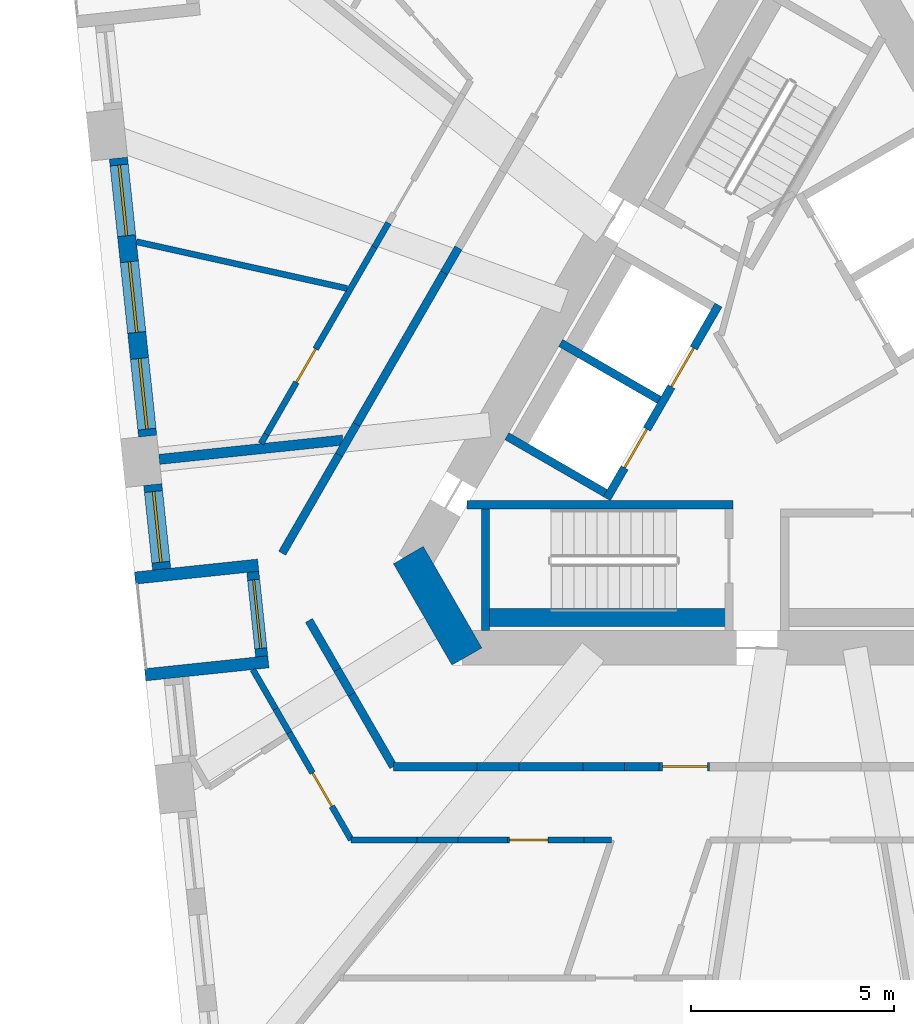
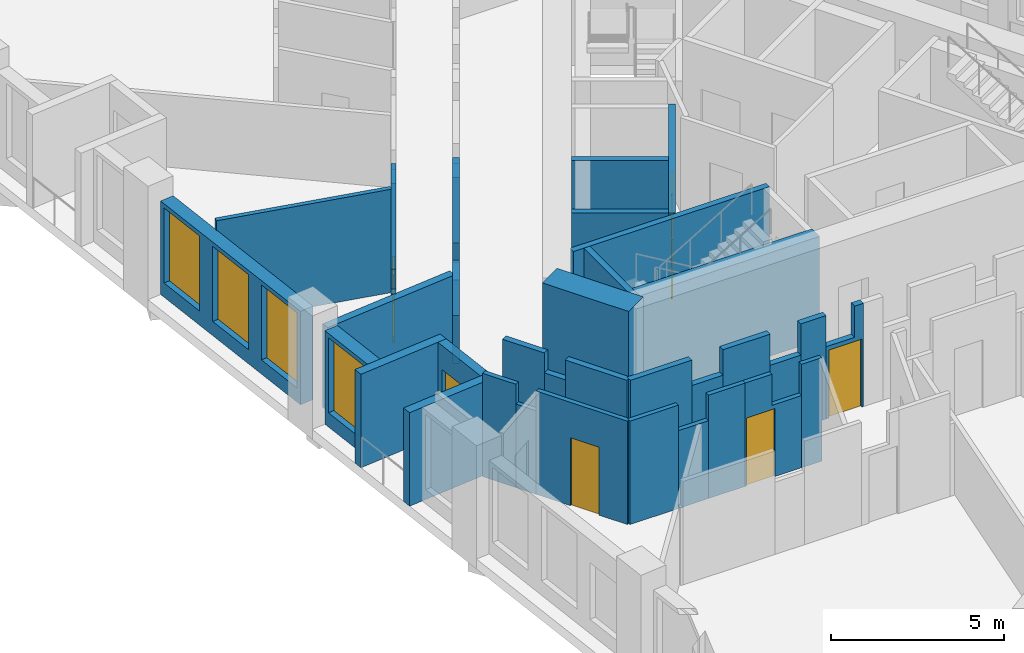
# One storey, part 3 of 14: 38 walls, 7 doors, 4 windows, 11 openings.
"""IFC4 building model written with IfcOpenShell, lengths in metres."""

from ifc_helpers import new_model, si_unit, direction, frame, frame_2d, origin, place, context, subcontext, project, spatial, polyline, rectangle, outline, extrude, material, layer, layer_set, type_object, element, fill, save


model = new_model("IFC4")

# Units and contexts
model_context = context("Model", 3, precision=1e-05, world=origin(), true_north=direction((0.0, 1.0)))
body_context = subcontext(model_context, "Body", "Model", "MODEL_VIEW")
ifc_project = project(units=[si_unit("LENGTHUNIT", "METRE"), si_unit("AREAUNIT", "SQUARE_METRE"), si_unit("VOLUMEUNIT", "CUBIC_METRE"), si_unit("PLANEANGLEUNIT", "RADIAN"), si_unit("MASSUNIT", "GRAM", prefix="KILO")], contexts=[model_context])

# Site, building, storey
site_placement = place(None, origin())
site = spatial("IfcSite", under=ifc_project, at=site_placement, CompositionType="ELEMENT")
building_placement = place(site_placement, origin())
building = spatial("IfcBuilding", under=site, at=building_placement, Name="Tramontana Tower", CompositionType="ELEMENT")
storey_placement = place(building_placement, frame((0.0, 0.0, 162.800048828125)))
storey = spatial("IfcBuildingStorey", under=building, at=storey_placement, Name="L37", CompositionType="ELEMENT", Elevation=162.800048828125)

# Wall
ifc_material_1 = material(Name="Concrete 70 MPa", Category="concrete")
ifc_layer_1 = layer(ifc_material_1, 0.85009765625)
ifc_layer_set_1 = layer_set([ifc_layer_1], Name="Core wall 850 70 MPa")
wall_type_1 = type_object("IfcWallType", Name="Core wall 850 70 MPa", PredefinedType="SHEAR", material=ifc_layer_set_1)
wall_1_placement = place(storey_placement, frame((-9.8798828125, -4.03759765625, 0.0), z_axis=(0.0, 0.0, 1.0), x_axis=(0.499995765644, -0.866027848477, 0.0)))
element("IfcWall", 1, at=wall_1_placement, inside=storey, type_object=wall_type_1, Name="Core wall C2 L37", PredefinedType="SHEAR", context=body_context, shape_type="SweptSolid", body=[
    extrude(rectangle(XDim=2.88671875, YDim=0.85009765625, at=frame_2d((1.443359375, 0.0))), origin(), (0.0, 0.0, 1.0), 4.0),
])

# Wall, opening, door
ifc_material_2 = material(Name="Blockwork", Category="masonry")
ifc_layer_2 = layer(ifc_material_2, 0.199951171875)
ifc_layer_set_2 = layer_set([ifc_layer_2], Name="ENTRY WALL 200")
wall_type_2 = type_object("IfcWallType", Name="ENTRY WALL 200", PredefinedType="SOLIDWALL", material=ifc_layer_set_2)
wall_2_placement = place(storey_placement, frame((-3.713134765625, -9.25, 0.0), z_axis=(0.0, 0.0, 1.0), x_axis=(1.0, 0.0, 0.0)))
wall_2 = element("IfcWall", 2, at=wall_2_placement, inside=storey, type_object=wall_type_2, Name="Wall v40-ew2-7", PredefinedType="SOLIDWALL", context=body_context, shape_type="SweptSolid", body=[
    extrude(outline(polyline([(0.0, 0.0), (1.2451171875, 0.0), (1.2451171875, 3.64990234375), (0.95361328125, 3.64990234375), (0.95361328125, 2.550048828125), (0.0, 2.550048828125), (0.0, 0.0)])), frame((0.0, 0.10009765625, 0.0), z_axis=(0.0, -1.0, 0.0), x_axis=(1.0, 0.0, 0.0)), (0.0, 0.0, 1.0), 0.199951171875),
])
opening_1_placement = place(wall_2_placement, frame((0.09521484375, 0.0, 0.0)))
opening_1 = element("IfcOpeningElement", 3, at=opening_1_placement, cuts=wall_2, Name="Opening B4A-23", PredefinedType="OPENING", context=body_context, shape_type="SweptSolid", body=[
    extrude(rectangle(XDim=1.10009765625, YDim=2.39990234375, at=frame_2d((0.550048828125, 1.199951171875))), frame((0.0, 0.10986328125, 0.0), z_axis=(0.0, -1.0, 0.0), x_axis=(1.0, 0.0, 0.0)), (0.0, 0.0, 1.0), 0.219970703125),
])
ifc_material_3 = material(Name="Painted timber", Category="wood")
door_type_1 = type_object("IfcDoorType", Name="DOOR ENTRY 1100", OperationType="SINGLE_SWING_LEFT", PredefinedType="DOOR", material=ifc_material_3)
door_1_placement = place(opening_1_placement, origin())
door_1 = element("IfcDoor", 4, at=door_1_placement, inside=storey, type_object=door_type_1, Name="Door B4A-23", OperationType="SINGLE_SWING_LEFT", OverallHeight=2.39990234375, OverallWidth=1.10009765625, PredefinedType="DOOR", context=body_context, shape_type="SweptSolid", body=[
    extrude(rectangle(XDim=1.10009765625, YDim=2.39990234375, at=frame_2d((0.550048828125, 1.199951171875))), frame((0.0, 0.02490234375, 0.0), z_axis=(0.0, -1.0, 0.0), x_axis=(1.0, 0.0, 0.0)), (0.0, 0.0, 1.0), 0.050048828125),
])
fill(opening_1, door_1)

# Walls
wall_3_placement = place(storey_placement, frame((-3.713134765625, -9.25, 0.0), z_axis=(0.0, 0.0, 1.0), x_axis=(-1.0, 0.0, 0.0)))
element("IfcWall", 5, at=wall_3_placement, inside=storey, type_object=wall_type_2, Name="Wall v40-ew2-8", PredefinedType="SOLIDWALL", context=body_context, shape_type="SweptSolid", body=[
    extrude(rectangle(XDim=0.84130859375, YDim=0.199951171875, at=frame_2d((0.420654296875, 0.0))), origin(), (0.0, 0.0, 1.0), 3.64990234375),
])
wall_4_placement = place(storey_placement, frame((-4.554443359375, -9.25, 0.0), z_axis=(0.0, 0.0, 1.0), x_axis=(-1.0, 0.0, 0.0)))
element("IfcWall", 6, at=wall_4_placement, inside=storey, type_object=wall_type_2, Name="Wall v40-ew2-9", PredefinedType="SOLIDWALL", context=body_context, shape_type="SweptSolid", body=[
    extrude(rectangle(XDim=1.026123046875, YDim=0.199951171875, at=frame_2d((0.51318359375, 0.0))), origin(), (0.0, 0.0, 1.0), 2.550048828125),
])
wall_5_placement = place(storey_placement, frame((-5.58056640625, -9.25, 0.0), z_axis=(0.0, 0.0, 1.0), x_axis=(-1.0, 0.0, 0.0)))
element("IfcWall", 7, at=wall_5_placement, inside=storey, type_object=wall_type_2, Name="Wall v40-ew2-10", PredefinedType="SOLIDWALL", context=body_context, shape_type="SweptSolid", body=[
    extrude(rectangle(XDim=1.57177734375, YDim=0.199951171875, at=frame_2d((0.785888671875, 0.0))), origin(), (0.0, 0.0, 1.0), 3.64990234375),
])
wall_6_placement = place(storey_placement, frame((-7.15234375, -9.25, 0.0), z_axis=(0.0, 0.0, 1.0), x_axis=(-1.0, 0.0, 0.0)))
element("IfcWall", 8, at=wall_6_placement, inside=storey, type_object=wall_type_2, Name="Wall v40-ew2-11", PredefinedType="SOLIDWALL", context=body_context, shape_type="SweptSolid", body=[
    extrude(rectangle(XDim=1.039306640625, YDim=0.199951171875, at=frame_2d((0.51953125, 0.0))), origin(), (0.0, 0.0, 1.0), 2.75),
])
wall_7_placement = place(storey_placement, frame((-8.191650390625, -9.25, 0.0), z_axis=(0.0, 0.0, 1.0), x_axis=(-1.0, 0.0, 0.0)))
element("IfcWall", 9, at=wall_7_placement, inside=storey, type_object=wall_type_2, Name="Wall v40-ew2-12", PredefinedType="SOLIDWALL", context=body_context, shape_type="SweptSolid", body=[
    extrude(rectangle(XDim=2.056396484375, YDim=0.199951171875, at=frame_2d((1.0283203125, 0.0))), origin(), (0.0, 0.0, 1.0), 3.64990234375),
])
wall_8_placement = place(storey_placement, frame((-10.248046875, -9.25, 0.0), z_axis=(0.0, 0.0, 1.0), x_axis=(-0.499941542975, 0.866059151333, 0.0)))
element("IfcWall", 10, at=wall_8_placement, inside=storey, type_object=wall_type_2, Name="Wall v40-ew3-0", PredefinedType="SOLIDWALL", context=body_context, shape_type="SweptSolid", body=[
    extrude(rectangle(XDim=2.057861328125, YDim=0.199951171875, at=frame_2d((1.02880859375, 0.0))), origin(), (0.0, 0.0, 1.0), 3.64990234375),
])
wall_9_placement = place(storey_placement, frame((-11.27685546875, -7.4677734375, 0.0), z_axis=(0.0, 0.0, 1.0), x_axis=(-0.50022532796, 0.865895271535, 0.0)))
element("IfcWall", 11, at=wall_9_placement, inside=storey, type_object=wall_type_2, Name="Wall v40-ew3-1", PredefinedType="SOLIDWALL", context=body_context, shape_type="SweptSolid", body=[
    extrude(rectangle(XDim=0.700439453125, YDim=0.199951171875, at=frame_2d((0.35009765625, 0.0))), origin(), (0.0, 0.0, 1.0), 2.949951171875),
])
wall_10_placement = place(storey_placement, frame((-11.627197265625, -6.861328125, 0.0), z_axis=(0.0, 0.0, 1.0), x_axis=(-0.49998411664, 0.866034573852, 0.0)))
element("IfcWall", 12, at=wall_10_placement, inside=storey, type_object=wall_type_2, Name="Wall v40-ew3-2", PredefinedType="SOLIDWALL", context=body_context, shape_type="SweptSolid", body=[
    extrude(rectangle(XDim=1.39990234375, YDim=0.199951171875, at=frame_2d((0.699951171875, 0.0))), origin(), (0.0, 0.0, 1.0), 3.64990234375),
])
wall_11_placement = place(storey_placement, frame((-12.986572265625, -3.993408203125, 0.0), z_axis=(0.0, 0.0, 1.0), x_axis=(0.499976698542, 0.86603885647, 0.0)))
element("IfcWall", 13, at=wall_11_placement, inside=storey, type_object=wall_type_2, Name="Wall v40-ew4-0", PredefinedType="SOLIDWALL", context=body_context, shape_type="SweptSolid", body=[
    extrude(rectangle(XDim=2.798583984375, YDim=0.199951171875, at=frame_2d((1.3994140625, 0.0))), origin(), (0.0, 0.0, 1.0), 3.64990234375),
])
wall_12_placement = place(storey_placement, frame((-11.58740234375, -1.56982421875, 0.0), z_axis=(0.0, 0.0, 1.0), x_axis=(0.500023708017, 0.866011715522, 0.0)))
element("IfcWall", 14, at=wall_12_placement, inside=storey, type_object=wall_type_2, Name="Wall v40-ew4-1", PredefinedType="SOLIDWALL", context=body_context, shape_type="SweptSolid", body=[
    extrude(rectangle(XDim=0.865234375, YDim=0.199951171875, at=frame_2d((0.4326171875, 0.0))), origin(), (0.0, 0.0, 1.0), 2.949951171875),
])
wall_13_placement = place(storey_placement, frame((-11.15478515625, -0.820556640625, 0.0), z_axis=(0.0, 0.0, 1.0), x_axis=(0.499992344383, 0.866029823712, 0.0)))
element("IfcWall", 15, at=wall_13_placement, inside=storey, type_object=wall_type_2, Name="Wall v40-ew4-2", PredefinedType="SOLIDWALL", context=body_context, shape_type="SweptSolid", body=[
    extrude(rectangle(XDim=4.306640625, YDim=0.199951171875, at=frame_2d((2.1533203125, 0.0))), origin(), (0.0, 0.0, 1.0), 3.64990234375),
])
wall_14_placement = place(storey_placement, frame((-9.00146484375, 2.9091796875, 0.0), z_axis=(0.0, 0.0, 1.0), x_axis=(0.50012879774, 0.865951029603, 0.0)))
element("IfcWall", 16, at=wall_14_placement, inside=storey, type_object=wall_type_2, Name="Wall v40-ew4-3", PredefinedType="SOLIDWALL", context=body_context, shape_type="SweptSolid", body=[
    extrude(rectangle(XDim=0.710693359375, YDim=0.199951171875, at=frame_2d((0.35546875, 0.0))), origin(), (0.0, 0.0, 1.0), 2.949951171875),
])

# Wall, openings, windows
ifc_material_4 = material(Name="Precast concrete 60 MPa", Category="concrete")
ifc_layer_3 = layer(ifc_material_4, 0.449951171875)
ifc_layer_set_3 = layer_set([ifc_layer_3], Name="Precast concrete 60 MPa, 450 mm")
wall_type_3 = type_object("IfcWallType", Name="EW1 Stone-faced precast wall 450", PredefinedType="SOLIDWALL", material=ifc_layer_set_3)
wall_15_placement = place(storey_placement, frame((-17.017822265625, 5.735595703125, 0.0), z_axis=(0.0, 0.0, 1.0), x_axis=(0.104531531326, -0.994521572898, 0.0)))
wall_15 = element("IfcWall", 17, at=wall_15_placement, inside=storey, type_object=wall_type_3, Name="External wall L37 face 0 bay 3", PredefinedType="SOLIDWALL", context=body_context, shape_type="SweptSolid", body=[
    extrude(rectangle(XDim=6.8828125, YDim=0.449951171875, at=frame_2d((3.44140625, 0.0))), origin(), (0.0, 0.0, 1.0), 3.300048828125),
])
opening_2_placement = place(wall_15_placement, frame((0.172119140625, 0.0, 0.5)))
opening_2 = element("IfcOpeningElement", 18, at=opening_2_placement, cuts=wall_15, Name="Opening M2", PredefinedType="OPENING", context=body_context, shape_type="SweptSolid", body=[
    extrude(rectangle(XDim=1.75, YDim=2.64990234375, at=frame_2d((0.875, 1.324951171875))), frame((0.0, 0.23486328125, 0.0), z_axis=(0.0, -1.0, 0.0), x_axis=(1.0, 0.0, 0.0)), (0.0, 0.0, 1.0), 0.469970703125),
])
opening_3_placement = place(wall_15_placement, frame((2.56640625, 0.0, 0.5)))
opening_3 = element("IfcOpeningElement", 19, at=opening_3_placement, cuts=wall_15, Name="Opening M2", PredefinedType="OPENING", context=body_context, shape_type="SweptSolid", body=[
    extrude(rectangle(XDim=1.75, YDim=2.64990234375, at=frame_2d((0.875, 1.324951171875))), frame((0.0, 0.23486328125, 0.0), z_axis=(0.0, -1.0, 0.0), x_axis=(1.0, 0.0, 0.0)), (0.0, 0.0, 1.0), 0.469970703125),
])
opening_4_placement = place(wall_15_placement, frame((4.960693359375, 0.0, 0.5)))
opening_4 = element("IfcOpeningElement", 20, at=opening_4_placement, cuts=wall_15, Name="Opening M2", PredefinedType="OPENING", context=body_context, shape_type="SweptSolid", body=[
    extrude(rectangle(XDim=1.75, YDim=2.64990234375, at=frame_2d((0.875, 1.324951171875))), frame((0.0, 0.23486328125, 0.0), z_axis=(0.0, -1.0, 0.0), x_axis=(1.0, 0.0, 0.0)), (0.0, 0.0, 1.0), 0.469970703125),
])
ifc_material_5 = material(Name="Aluminum frame, double glazing unit", Category="aluminium")
window_type = type_object("IfcWindowType", Name="M2 Window 1.75 x 2.65", PartitioningType="SINGLE_PANEL", PredefinedType="WINDOW", material=ifc_material_5)
window_1_placement = place(opening_2_placement, origin())
window_1 = element("IfcWindow", 21, at=window_1_placement, inside=storey, type_object=window_type, Name="Window M2 L37 face 0 module 7", OverallHeight=2.64990234375, OverallWidth=1.75, PartitioningType="SINGLE_PANEL", PredefinedType="WINDOW", context=body_context, shape_type="SweptSolid", body=[
    extrude(rectangle(XDim=1.75, YDim=2.64990234375, at=frame_2d((0.875, 1.324951171875))), frame((0.0, 0.030029296875, 0.0), z_axis=(0.0, -1.0, 0.0), x_axis=(1.0, 0.0, 0.0)), (0.0, 0.0, 1.0), 0.06005859375),
])
fill(opening_2, window_1)
window_2_placement = place(opening_3_placement, origin())
window_2 = element("IfcWindow", 22, at=window_2_placement, inside=storey, type_object=window_type, Name="Window M2 L37 face 0 module 8", OverallHeight=2.64990234375, OverallWidth=1.75, PartitioningType="SINGLE_PANEL", PredefinedType="WINDOW", context=body_context, shape_type="SweptSolid", body=[
    extrude(rectangle(XDim=1.75, YDim=2.64990234375, at=frame_2d((0.875, 1.324951171875))), frame((0.0, 0.030029296875, 0.0), z_axis=(0.0, -1.0, 0.0), x_axis=(1.0, 0.0, 0.0)), (0.0, 0.0, 1.0), 0.06005859375),
])
fill(opening_3, window_2)
window_3_placement = place(opening_4_placement, origin())
window_3 = element("IfcWindow", 23, at=window_3_placement, inside=storey, type_object=window_type, Name="Window M2 L37 face 0 module 9", OverallHeight=2.64990234375, OverallWidth=1.75, PartitioningType="SINGLE_PANEL", PredefinedType="WINDOW", context=body_context, shape_type="SweptSolid", body=[
    extrude(rectangle(XDim=1.75, YDim=2.64990234375, at=frame_2d((0.875, 1.324951171875))), frame((0.0, 0.030029296875, 0.0), z_axis=(0.0, -1.0, 0.0), x_axis=(1.0, 0.0, 0.0)), (0.0, 0.0, 1.0), 0.06005859375),
])
fill(opening_4, window_3)

# Wall, opening, window
wall_16_placement = place(storey_placement, frame((-16.1728515625, -2.30322265625, 0.0), z_axis=(0.0, 0.0, 1.0), x_axis=(0.104569484464, -0.994517583011, 0.0)))
wall_16 = element("IfcWall", 24, at=wall_16_placement, inside=storey, type_object=wall_type_3, Name="External wall L37 face 0 bay 4", PredefinedType="SOLIDWALL", context=body_context, shape_type="SweptSolid", body=[
    extrude(rectangle(XDim=2.09423828125, YDim=0.449951171875, at=frame_2d((1.047119140625, 0.0))), origin(), (0.0, 0.0, 1.0), 3.300048828125),
])
opening_5_placement = place(wall_16_placement, frame((0.172119140625, 0.0, 0.5)))
opening_5 = element("IfcOpeningElement", 25, at=opening_5_placement, cuts=wall_16, Name="Opening M2", PredefinedType="OPENING", context=body_context, shape_type="SweptSolid", body=[
    extrude(rectangle(XDim=1.75, YDim=2.64990234375, at=frame_2d((0.875, 1.324951171875))), frame((0.0, 0.23486328125, 0.0), z_axis=(0.0, -1.0, 0.0), x_axis=(1.0, 0.0, 0.0)), (0.0, 0.0, 1.0), 0.469970703125),
])
window_4_placement = place(opening_5_placement, origin())
window_4 = element("IfcWindow", 26, at=window_4_placement, inside=storey, type_object=window_type, Name="Window M2 L37 face 0 module 10", OverallHeight=2.64990234375, OverallWidth=1.75, PartitioningType="SINGLE_PANEL", PredefinedType="WINDOW", context=body_context, shape_type="SweptSolid", body=[
    extrude(rectangle(XDim=1.75, YDim=2.64990234375, at=frame_2d((0.875, 1.324951171875))), frame((0.0, 0.030029296875, 0.0), z_axis=(0.0, -1.0, 0.0), x_axis=(1.0, 0.0, 0.0)), (0.0, 0.0, 1.0), 0.06005859375),
])
fill(opening_5, window_4)

# Wall, opening, door
ifc_material_6 = material(Name="Precast concrete 60 MPa", Category="concrete")
ifc_layer_4 = layer(ifc_material_6, 0.300048828125)
ifc_layer_set_4 = layer_set([ifc_layer_4], Name="LW1 Stone-faced loggia wall 300")
wall_type_4 = type_object("IfcWallType", Name="LW1 Stone-faced loggia wall 300", PredefinedType="SOLIDWALL", material=ifc_layer_set_4)
wall_17_placement = place(storey_placement, frame((-13.709716796875, -4.45166015625, 0.0), z_axis=(0.0, 0.0, 1.0), x_axis=(0.104442071108, -0.994530971756, 0.0)))
wall_17 = element("IfcWall", 27, at=wall_17_placement, inside=storey, type_object=wall_type_4, Name="Loggia wall L37 G4S0.10", PredefinedType="SOLIDWALL", context=body_context, shape_type="SweptSolid", body=[
    extrude(rectangle(XDim=2.094482421875, YDim=0.300048828125, at=frame_2d((1.04736328125, 0.0))), origin(), (0.0, 0.0, 1.0), 3.300048828125),
])
opening_6_placement = place(wall_17_placement, frame((0.197265625, 0.0, 0.0)))
opening_6 = element("IfcOpeningElement", 28, at=opening_6_placement, cuts=wall_17, Name="Opening BD-4S0-10", PredefinedType="OPENING", context=body_context, shape_type="SweptSolid", body=[
    extrude(rectangle(XDim=1.699951171875, YDim=2.449951171875, at=frame_2d((0.85009765625, 1.22509765625))), frame((0.0, 0.159912109375, 0.0), z_axis=(0.0, -1.0, 0.0), x_axis=(1.0, 0.0, 0.0)), (0.0, 0.0, 1.0), 0.320068359375),
])
ifc_material_7 = material(Name="Aluminum frame, double glazing unit", Category="aluminium")
door_type_2 = type_object("IfcDoorType", Name="BD2 Sliding door 1.7 x 2.45", OperationType="SLIDING_TO_LEFT", PredefinedType="DOOR", material=ifc_material_7)
door_2_placement = place(opening_6_placement, origin())
door_2 = element("IfcDoor", 29, at=door_2_placement, inside=storey, type_object=door_type_2, Name="Loggia door L37 G4S0.10", OperationType="SLIDING_TO_LEFT", OverallHeight=2.449951171875, OverallWidth=1.699951171875, PredefinedType="DOOR", context=body_context, shape_type="SweptSolid", body=[
    extrude(rectangle(XDim=1.699951171875, YDim=2.449951171875, at=frame_2d((0.85009765625, 1.22509765625))), frame((0.0, 0.02490234375, 0.0), z_axis=(0.0, -1.0, 0.0), x_axis=(1.0, 0.0, 0.0)), (0.0, 0.0, 1.0), 0.050048828125),
])
fill(opening_6, door_2)

# Walls
for number, where, z_axis, x_axis, name in (
    (30, (-16.609619140625, -4.605712890625, 0.0), (0.0, 0.0, 1.0), (0.994521230707, 0.104534786906, 0.0), "Loggia return L37 G4S0.10a"),
    (31, (-16.359375, -6.98681640625, 0.0), (0.0, 0.0, 1.0), (0.994521230707, 0.104534786906, 0.0), "Loggia return L37 G4S0.10b"),
):
    element("IfcWall", number, at=place(storey_placement, frame(where, z_axis=z_axis, x_axis=x_axis)), inside=storey, type_object=wall_type_4, Name=name, PredefinedType="SOLIDWALL", context=body_context, shape_type="SweptSolid", body=[
        extrude(rectangle(XDim=3.050048828125, YDim=0.300048828125, at=frame_2d((1.52490234375, 0.0))), origin(), (0.0, 0.0, 1.0), 3.300048828125),
    ])
ifc_material_8 = material(Name="Gypsum board partition")
ifc_layer_5 = layer(ifc_material_8, 0.14990234375)
ifc_layer_set_5 = layer_set([ifc_layer_5], Name="PARTITION 150")
wall_type_5 = type_object("IfcWallType", Name="PARTITION 150", PredefinedType="PARTITIONING", material=ifc_layer_set_5)
wall_18_placement = place(storey_placement, frame((-13.50634765625, -1.2939453125, 0.0), z_axis=(0.0, 0.0, 1.0), x_axis=(0.499239477509, 0.866464046627, 0.0)))
element("IfcWall", 32, at=wall_18_placement, inside=storey, type_object=wall_type_5, Name="Wall v40-pw03-0", PredefinedType="PARTITIONING", context=body_context, shape_type="SweptSolid", body=[
    extrude(rectangle(XDim=0.2626953125, YDim=0.14990234375, at=frame_2d((0.13134765625, 0.0))), origin(), (0.0, 0.0, 1.0), 2.949951171875),
])

# Wall, opening, door
wall_19_placement = place(storey_placement, frame((-13.375244140625, -1.06640625, 0.0), z_axis=(0.0, 0.0, 1.0), x_axis=(0.500004172341, 0.866022994869, 0.0)))
wall_19 = element("IfcWall", 33, at=wall_19_placement, inside=storey, type_object=wall_type_5, Name="Wall v40-pw03-1", PredefinedType="PARTITIONING", context=body_context, shape_type="SweptSolid", body=[
    extrude(rectangle(XDim=5.326171875, YDim=0.14990234375, at=frame_2d((2.6630859375, 0.0))), origin(), (0.0, 0.0, 1.0), 3.64990234375),
])
opening_7_placement = place(wall_19_placement, frame((1.479248046875, 0.0, 0.0)))
opening_7 = element("IfcOpeningElement", 34, at=opening_7_placement, cuts=wall_19, Name="Opening B4A-06", PredefinedType="OPENING", context=body_context, shape_type="SweptSolid", body=[
    extrude(rectangle(XDim=0.949951171875, YDim=2.39990234375, at=frame_2d((0.47509765625, 1.199951171875))), frame((0.0, 0.0849609375, 0.0), z_axis=(0.0, -1.0, 0.0), x_axis=(1.0, 0.0, 0.0)), (0.0, 0.0, 1.0), 0.169921875),
])
ifc_material_9 = material(Name="Painted timber", Category="wood")
door_type_3 = type_object("IfcDoorType", Name="DOOR ROOM 950", OperationType="SINGLE_SWING_LEFT", PredefinedType="DOOR", material=ifc_material_9)
door_3_placement = place(opening_7_placement, origin())
door_3 = element("IfcDoor", 35, at=door_3_placement, inside=storey, type_object=door_type_3, Name="Door B4A-06", OperationType="SINGLE_SWING_RIGHT", OverallHeight=2.39990234375, OverallWidth=0.949951171875, PredefinedType="DOOR", context=body_context, shape_type="SweptSolid", body=[
    extrude(rectangle(XDim=0.949951171875, YDim=2.39990234375, at=frame_2d((0.47509765625, 1.199951171875))), frame((0.0, 0.02490234375, 0.0), z_axis=(0.0, -1.0, 0.0), x_axis=(1.0, 0.0, 0.0)), (0.0, 0.0, 1.0), 0.050048828125),
])
fill(opening_7, door_3)

# Walls
wall_20_placement = place(storey_placement, frame((-10.712158203125, 3.546142578125, 0.0), z_axis=(0.0, 0.0, 1.0), x_axis=(0.50012328804, 0.865954211699, 0.0)))
element("IfcWall", 36, at=wall_20_placement, inside=storey, type_object=wall_type_5, Name="Wall v40-pw03-2", PredefinedType="PARTITIONING", context=body_context, shape_type="SweptSolid", body=[
    extrude(rectangle(XDim=0.685302734375, YDim=0.14990234375, at=frame_2d((0.3427734375, 0.0))), origin(), (0.0, 0.0, 1.0), 2.949951171875),
])
wall_21_placement = place(storey_placement, frame((-11.387939453125, 2.525634765625, 0.0), z_axis=(0.0, 0.0, 1.0), x_axis=(-0.976268081413, 0.216565540229, 0.0)))
element("IfcWall", 37, at=wall_21_placement, inside=storey, type_object=wall_type_5, Name="Wall v40-pw07", PredefinedType="PARTITIONING", context=body_context, shape_type="SweptSolid", body=[
    extrude(rectangle(XDim=5.31298828125, YDim=0.14990234375, at=frame_2d((2.656494140625, 0.0))), origin(), (0.0, 0.0, 1.0), 3.64990234375),
])

# Wall, opening, door
wall_22_placement = place(storey_placement, frame((-11.287353515625, -11.050048828125, 0.0), z_axis=(0.0, 0.0, 1.0), x_axis=(-0.499958377808, 0.866049433035, 0.0)))
wall_22 = element("IfcWall", 38, at=wall_22_placement, inside=storey, type_object=wall_type_5, Name="Wall v40-pw08-0", PredefinedType="PARTITIONING", context=body_context, shape_type="SweptSolid", body=[
    extrude(rectangle(XDim=3.045654296875, YDim=0.14990234375, at=frame_2d((1.52294921875, 0.0))), origin(), (0.0, 0.0, 1.0), 3.64990234375),
])
opening_8_placement = place(wall_22_placement, frame((0.9501953125, 0.0, 0.0)))
opening_8 = element("IfcOpeningElement", 39, at=opening_8_placement, cuts=wall_22, Name="Opening B4A-11", PredefinedType="OPENING", context=body_context, shape_type="SweptSolid", body=[
    extrude(rectangle(XDim=0.949951171875, YDim=2.39990234375, at=frame_2d((0.47509765625, 1.199951171875))), frame((0.0, 0.0849609375, 0.0), z_axis=(0.0, -1.0, 0.0), x_axis=(1.0, 0.0, 0.0)), (0.0, 0.0, 1.0), 0.169921875),
])
door_4_placement = place(opening_8_placement, origin())
door_4 = element("IfcDoor", 40, at=door_4_placement, inside=storey, type_object=door_type_3, Name="Door B4A-11", OperationType="SINGLE_SWING_LEFT", OverallHeight=2.39990234375, OverallWidth=0.949951171875, PredefinedType="DOOR", context=body_context, shape_type="SweptSolid", body=[
    extrude(rectangle(XDim=0.949951171875, YDim=2.39990234375, at=frame_2d((0.47509765625, 1.199951171875))), frame((0.0, 0.02490234375, 0.0), z_axis=(0.0, -1.0, 0.0), x_axis=(1.0, 0.0, 0.0)), (0.0, 0.0, 1.0), 0.050048828125),
])
fill(opening_8, door_4)

# Walls
wall_23_placement = place(storey_placement, frame((-12.81005859375, -8.412353515625, 0.0), z_axis=(0.0, 0.0, 1.0), x_axis=(-0.499910196476, 0.866077245666, 0.0)))
element("IfcWall", 41, at=wall_23_placement, inside=storey, type_object=wall_type_5, Name="Wall v40-pw08-1", PredefinedType="PARTITIONING", context=body_context, shape_type="SweptSolid", body=[
    extrude(rectangle(XDim=0.67529296875, YDim=0.14990234375, at=frame_2d((0.337646484375, 0.0))), origin(), (0.0, 0.0, 1.0), 2.949951171875),
])
wall_24_placement = place(storey_placement, frame((-13.147705078125, -7.827392578125, 0.0), z_axis=(0.0, 0.0, 1.0), x_axis=(-0.499942933724, 0.866058348508, 0.0)))
element("IfcWall", 42, at=wall_24_placement, inside=storey, type_object=wall_type_5, Name="Wall v40-pw08-2", PredefinedType="PARTITIONING", context=body_context, shape_type="SweptSolid", body=[
    extrude(rectangle(XDim=1.118408203125, YDim=0.14990234375, at=frame_2d((0.55908203125, 0.0))), origin(), (0.0, 0.0, 1.0), 3.64990234375),
])
wall_25_placement = place(storey_placement, frame((-4.880859375, -11.050048828125, 0.0), z_axis=(0.0, 0.0, 1.0), x_axis=(-1.0, 0.0, 0.0)))
element("IfcWall", 43, at=wall_25_placement, inside=storey, type_object=wall_type_5, Name="Wall v40-pw15-0", PredefinedType="PARTITIONING", context=body_context, shape_type="SweptSolid", body=[
    extrude(rectangle(XDim=0.673828125, YDim=0.14990234375, at=frame_2d((0.3369140625, 0.0))), origin(), (0.0, 0.0, 1.0), 3.64990234375),
])

# Wall, opening, door
wall_26_placement = place(storey_placement, frame((-5.5546875, -11.050048828125, 0.0), z_axis=(0.0, 0.0, 1.0), x_axis=(-1.0, 0.0, 0.0)))
wall_26 = element("IfcWall", 44, at=wall_26_placement, inside=storey, type_object=wall_type_5, Name="Wall v40-pw15-1", PredefinedType="PARTITIONING", context=body_context, shape_type="SweptSolid", body=[
    extrude(outline(polyline([(0.0, 0.0), (1.88818359375, 0.0), (1.887939453125, 3.64990234375), (0.997802734375, 3.64990234375), (0.997802734375, 2.550048828125), (0.0, 2.550048828125), (0.0, 0.0)])), frame((0.0, 0.074951171875, 0.0), z_axis=(0.0, -1.0, 0.0), x_axis=(1.0, 0.0, 0.0)), (0.0, 0.0, 1.0), 0.14990234375),
])
opening_9_placement = place(wall_26_placement, frame((0.887939453125, 0.0, 0.0)))
opening_9 = element("IfcOpeningElement", 45, at=opening_9_placement, cuts=wall_26, Name="Opening B4A-08", PredefinedType="OPENING", context=body_context, shape_type="SweptSolid", body=[
    extrude(rectangle(XDim=0.949951171875, YDim=2.39990234375, at=frame_2d((0.47509765625, 1.199951171875))), frame((0.0, 0.0849609375, 0.0), z_axis=(0.0, -1.0, 0.0), x_axis=(1.0, 0.0, 0.0)), (0.0, 0.0, 1.0), 0.169921875),
])
door_5_placement = place(opening_9_placement, origin())
door_5 = element("IfcDoor", 46, at=door_5_placement, inside=storey, type_object=door_type_3, Name="Door B4A-08", OperationType="SINGLE_SWING_RIGHT", OverallHeight=2.39990234375, OverallWidth=0.949951171875, PredefinedType="DOOR", context=body_context, shape_type="SweptSolid", body=[
    extrude(rectangle(XDim=0.949951171875, YDim=2.39990234375, at=frame_2d((0.47509765625, 1.199951171875))), frame((0.0, 0.02490234375, 0.0), z_axis=(0.0, -1.0, 0.0), x_axis=(1.0, 0.0, 0.0)), (0.0, 0.0, 1.0), 0.050048828125),
])
fill(opening_9, door_5)

# Walls
wall_27_placement = place(storey_placement, frame((-7.44287109375, -11.050048828125, 0.0), z_axis=(0.0, 0.0, 1.0), x_axis=(-1.0, 0.0, 0.0)))
element("IfcWall", 47, at=wall_27_placement, inside=storey, type_object=wall_type_5, Name="Wall v40-pw15-2", PredefinedType="PARTITIONING", context=body_context, shape_type="SweptSolid", body=[
    extrude(rectangle(XDim=1.21875, YDim=0.14990234375, at=frame_2d((0.609375, 0.0))), origin(), (0.0, 0.0, 1.0), 3.64990234375),
])
wall_28_placement = place(storey_placement, frame((-8.66162109375, -11.050048828125, 0.0), z_axis=(0.0, 0.0, 1.0), x_axis=(-1.0, 0.0, 0.0)))
element("IfcWall", 48, at=wall_28_placement, inside=storey, type_object=wall_type_5, Name="Wall v40-pw15-3", PredefinedType="PARTITIONING", context=body_context, shape_type="SweptSolid", body=[
    extrude(rectangle(XDim=1.0068359375, YDim=0.14990234375, at=frame_2d((0.50341796875, 0.0))), origin(), (0.0, 0.0, 1.0), 2.75),
])
wall_29_placement = place(storey_placement, frame((-9.66845703125, -11.050048828125, 0.0), z_axis=(0.0, 0.0, 1.0), x_axis=(-1.0, 0.0, 0.0)))
element("IfcWall", 49, at=wall_29_placement, inside=storey, type_object=wall_type_5, Name="Wall v40-pw15-4", PredefinedType="PARTITIONING", context=body_context, shape_type="SweptSolid", body=[
    extrude(rectangle(XDim=1.61865234375, YDim=0.14990234375, at=frame_2d((0.809326171875, 0.0))), origin(), (0.0, 0.0, 1.0), 3.64990234375),
])
ifc_material_10 = material(Name="Blockwork", Category="masonry")
ifc_layer_6 = layer(ifc_material_10, 0.25)
ifc_layer_set_6 = layer_set([ifc_layer_6], Name="PARTY WALL 250")
wall_type_6 = type_object("IfcWallType", Name="PARTY WALL 250", PredefinedType="SOLIDWALL", material=ifc_layer_set_6)
wall_30_placement = place(storey_placement, frame((-11.493896484375, -1.2080078125, 0.0), z_axis=(0.0, 0.0, 1.0), x_axis=(-0.99452163766, -0.104530915171, 0.0)))
element("IfcWall", 50, at=wall_30_placement, inside=storey, type_object=wall_type_6, Name="Wall v40-pw05-0", PredefinedType="SOLIDWALL", context=body_context, shape_type="SweptSolid", body=[
    extrude(rectangle(XDim=4.542724609375, YDim=0.25, at=frame_2d((2.271484375, 0.0))), origin(), (0.0, 0.0, 1.0), 2.949951171875),
])
ifc_material_11 = material(Name="Concrete 70 MPa", Category="concrete")
ifc_layer_7 = layer(ifc_material_11, 0.449951171875)
ifc_layer_set_7 = layer_set([ifc_layer_7], Name="Concrete 70 MPa, 450 mm")
wall_type_7 = type_object("IfcWallType", Name="RC SHAFT BACK WALL 450", PredefinedType="SOLIDWALL", material=ifc_layer_set_7)
wall_31_placement = place(storey_placement, frame((-8.080078125, -5.574951171875, 0.0), z_axis=(0.0, 0.0, 1.0), x_axis=(1.0, 0.0, 0.0)))
element("IfcWall", 51, at=wall_31_placement, inside=storey, type_object=wall_type_7, Name="Wall st2-back", PredefinedType="SOLIDWALL", context=body_context, shape_type="SweptSolid", body=[
    extrude(rectangle(XDim=6.2001953125, YDim=0.449951171875, at=frame_2d((3.10009765625, 0.0))), origin(), (0.0, 0.0, 1.0), 3.64990234375),
])
ifc_material_12 = material(Name="Concrete 70 MPa", Category="concrete")
ifc_layer_8 = layer(ifc_material_12, 0.199951171875)
ifc_layer_set_8 = layer_set([ifc_layer_8], Name="Concrete 70 MPa, 200 mm")
wall_type_8 = type_object("IfcWallType", Name="RC STAIR AND SHAFT WALL 200", PredefinedType="SOLIDWALL", material=ifc_layer_set_8)
wall_32_placement = place(storey_placement, frame((-8.42919921875, -2.800048828125, 0.0), z_axis=(0.0, 0.0, 1.0), x_axis=(1.0, 0.0, 0.0)))
element("IfcWall", 52, at=wall_32_placement, inside=storey, type_object=wall_type_8, Name="Wall st2-front", PredefinedType="SOLIDWALL", context=body_context, shape_type="SweptSolid", body=[
    extrude(rectangle(XDim=6.54931640625, YDim=0.199951171875, at=frame_2d((3.274658203125, 0.0))), origin(), (0.0, 0.0, 1.0), 3.64990234375),
])
wall_33_placement = place(storey_placement, frame((-7.97998046875, -2.89990234375, 0.0), z_axis=(0.0, 0.0, 1.0), x_axis=(0.0, -1.0, 0.0)))
element("IfcWall", 53, at=wall_33_placement, inside=storey, type_object=wall_type_8, Name="Wall st2-far", PredefinedType="SOLIDWALL", context=body_context, shape_type="SweptSolid", body=[
    extrude(rectangle(XDim=3.0, YDim=0.199951171875, at=frame_2d((1.5, 0.0))), origin(), (0.0, 0.0, 1.0), 3.64990234375),
])

# Wall, openings, doors
wall_34_placement = place(storey_placement, frame((-2.2431640625, 2.114990234375, 0.0), z_axis=(0.0, 0.0, 1.0), x_axis=(-0.499996545922, -0.866027397988, 0.0)))
wall_34 = element("IfcWall", 54, at=wall_34_placement, inside=storey, type_object=wall_type_8, Name="Wall row0-front", PredefinedType="SOLIDWALL", context=body_context, shape_type="SweptSolid", body=[
    extrude(rectangle(XDim=5.5, YDim=0.199951171875, at=frame_2d((2.75, 0.0))), origin(), (0.0, 0.0, 1.0), 3.64990234375),
])
opening_10_placement = place(wall_34_placement, frame((1.219970703125, 0.0, 0.0)))
opening_10 = element("IfcOpeningElement", 55, at=opening_10_placement, cuts=wall_34, Name="Opening LD-P1", PredefinedType="OPENING", context=body_context, shape_type="SweptSolid", body=[
    extrude(rectangle(XDim=1.10009765625, YDim=2.10009765625, at=frame_2d((0.550048828125, 1.050048828125))), frame((0.0, 0.10986328125, 0.0), z_axis=(0.0, -1.0, 0.0), x_axis=(1.0, 0.0, 0.0)), (0.0, 0.0, 1.0), 0.219970703125),
])
opening_11_placement = place(wall_34_placement, frame((3.52490234375, 0.0, 0.0)))
opening_11 = element("IfcOpeningElement", 56, at=opening_11_placement, cuts=wall_34, Name="Opening LD-P2", PredefinedType="OPENING", context=body_context, shape_type="SweptSolid", body=[
    extrude(rectangle(XDim=1.10009765625, YDim=2.10009765625, at=frame_2d((0.550048828125, 1.050048828125))), frame((0.0, 0.10986328125, 0.0), z_axis=(0.0, -1.0, 0.0), x_axis=(1.0, 0.0, 0.0)), (0.0, 0.0, 1.0), 0.219970703125),
])
ifc_material_13 = material(Name="Brushed steel", Category="steel")
door_type_4 = type_object("IfcDoorType", Name="LANDING DOOR 1100", OperationType="SINGLE_SWING_LEFT", PredefinedType="DOOR", material=ifc_material_13)
door_6_placement = place(opening_10_placement, origin())
door_6 = element("IfcDoor", 57, at=door_6_placement, inside=storey, type_object=door_type_4, Name="Door LD-P1", OperationType="SLIDING_TO_LEFT", OverallHeight=2.10009765625, OverallWidth=1.10009765625, PredefinedType="DOOR", context=body_context, shape_type="SweptSolid", body=[
    extrude(rectangle(XDim=1.10009765625, YDim=2.10009765625, at=frame_2d((0.550048828125, 1.050048828125))), frame((0.0, 0.02490234375, 0.0), z_axis=(0.0, -1.0, 0.0), x_axis=(1.0, 0.0, 0.0)), (0.0, 0.0, 1.0), 0.050048828125),
])
fill(opening_10, door_6)
door_7_placement = place(opening_11_placement, origin())
door_7 = element("IfcDoor", 58, at=door_7_placement, inside=storey, type_object=door_type_4, Name="Door LD-P2", OperationType="SLIDING_TO_RIGHT", OverallHeight=2.10009765625, OverallWidth=1.10009765625, PredefinedType="DOOR", context=body_context, shape_type="SweptSolid", body=[
    extrude(rectangle(XDim=1.10009765625, YDim=2.10009765625, at=frame_2d((0.550048828125, 1.050048828125))), frame((0.0, 0.02490234375, 0.0), z_axis=(0.0, -1.0, 0.0), x_axis=(1.0, 0.0, 0.0)), (0.0, 0.0, 1.0), 0.050048828125),
])
fill(opening_11, door_7)

# Walls
wall_35_placement = place(storey_placement, frame((-3.70458984375, -0.216796875, 0.0), z_axis=(0.0, 0.0, 1.0), x_axis=(-0.866018616679, 0.500011755427, 0.0)))
element("IfcWall", 59, at=wall_35_placement, inside=storey, type_object=wall_type_8, Name="Wall row0-side1", PredefinedType="SOLIDWALL", context=body_context, shape_type="SweptSolid", body=[
    extrude(rectangle(XDim=2.80029296875, YDim=0.199951171875, at=frame_2d((1.400146484375, 0.0))), origin(), (0.0, 0.0, 1.0), 3.64990234375),
])
wall_36_placement = place(storey_placement, frame((-5.02978515625, -2.51171875, 0.0), z_axis=(0.0, 0.0, 1.0), x_axis=(-0.865996816683, 0.500049511043, 0.0)))
element("IfcWall", 60, at=wall_36_placement, inside=storey, type_object=wall_type_8, Name="Wall row0-side2", PredefinedType="SOLIDWALL", context=body_context, shape_type="SweptSolid", body=[
    extrude(rectangle(XDim=2.800048828125, YDim=0.199951171875, at=frame_2d((1.39990234375, 0.0))), origin(), (0.0, 0.0, 1.0), 3.64990234375),
])

save(model, "model.ifc")
